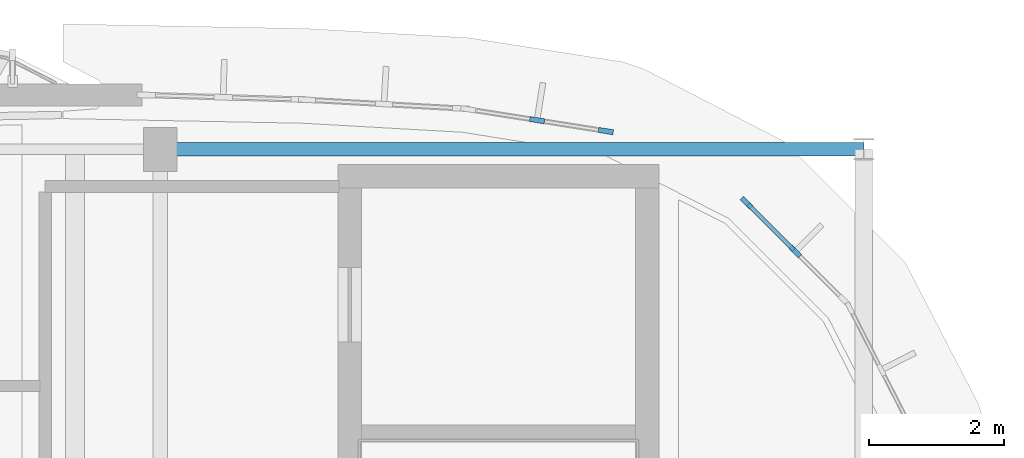
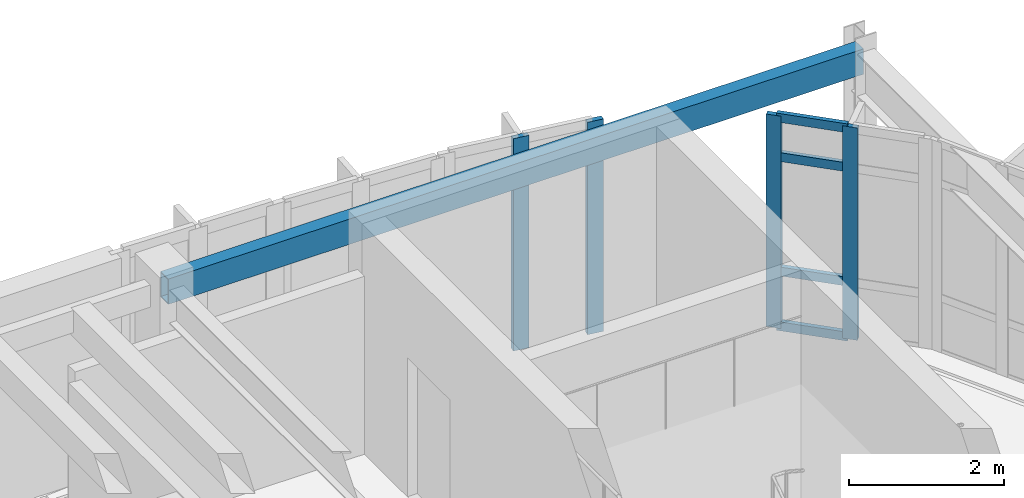
# One storey, part 15 of 30: 8 members, 1 beam, 2 elements without a shape of their own.
"""IFC4 building model written with IfcOpenShell, lengths in metres."""

from ifc_helpers import new_model, si_unit, direction, frame, origin, origin_2d, place, context, subcontext, project, spatial, rectangle, hollow_rectangle, extrude, material, material_profile, profile_set, type_object, element, aggregate, save


model = new_model("IFC4")

# Units and contexts
model_context = context("Model", 3, precision=1e-05, world=origin(), true_north=direction((0.0, 1.0)))
body_context = subcontext(model_context, "Body", "Model", "MODEL_VIEW")
ifc_project = project(units=[si_unit("LENGTHUNIT", "METRE"), si_unit("AREAUNIT", "SQUARE_METRE"), si_unit("VOLUMEUNIT", "CUBIC_METRE"), si_unit("PLANEANGLEUNIT", "RADIAN"), si_unit("MASSUNIT", "GRAM", prefix="KILO")], contexts=[model_context])

# Site, building, storey
site_placement = place(None, origin())
site = spatial("IfcSite", under=ifc_project, at=site_placement, CompositionType="ELEMENT")
building_placement = place(site_placement, origin())
building = spatial("IfcBuilding", under=site, at=building_placement, Name="Corveleigh Park Community Centre", CompositionType="ELEMENT")
storey_placement = place(building_placement, frame((0.0, 0.0, 12.60009765625)))
storey = spatial("IfcBuildingStorey", under=building, at=storey_placement, Name="L03", CompositionType="ELEMENT", Elevation=12.60009765625)

# Curtain wall, members
ifc_material_1 = material(Name="Anodised aluminium 6063-T6", Category="aluminium")
curtain_wall_type = type_object("IfcCurtainWallType", Name="CW-SYS-V4-L03", PredefinedType="NOTDEFINED", material=ifc_material_1)
curtain_wall_1_placement = place(storey_placement, origin())
curtain_wall_1 = element("IfcCurtainWall", 1, at=curtain_wall_1_placement, inside=storey, type_object=curtain_wall_type, Name="V4 L03 Curtain Wall 417", PredefinedType="NOTDEFINED")
ifc_material_profile_1 = material_profile(ifc_material_1, rectangle(XDim=0.070068359375, YDim=0.199951171875, at=origin_2d()), Name="ALU-M70x200", Category="aluminium")
ifc_profile_set_1 = profile_set([ifc_material_profile_1], Name="Anodised aluminium 6063-T6")
member_type_1 = type_object("IfcMemberType", Name="CWM-70x200", PredefinedType="MULLION", material=ifc_profile_set_1)
member_1_placement = place(storey_placement, frame((166.665771484375, 103.4111328125, 0.0), z_axis=(0.0, 0.0, 1.0), x_axis=(0.707106781187, 0.707106781187, 0.0)))
member_1 = element("IfcMember", 2, at=member_1_placement, type_object=member_type_1, Name="CW09 mullion 1", PredefinedType="MULLION", context=body_context, shape_type="SweptSolid", body=[
    extrude(rectangle(XDim=0.070068359375, YDim=0.199951171875, at=origin_2d()), origin(), (0.0, 0.0, 1.0), 3.35693359375),
])
member_2_placement = place(storey_placement, frame((167.388427734375, 102.6884765625, 0.0), z_axis=(0.0, 0.0, 1.0), x_axis=(0.707106781187, 0.707106781187, 0.0)))
member_2 = element("IfcMember", 3, at=member_2_placement, type_object=member_type_1, Name="CW09 mullion 2", PredefinedType="MULLION", context=body_context, shape_type="SweptSolid", body=[
    extrude(rectangle(XDim=0.070068359375, YDim=0.199951171875, at=origin_2d()), origin(), (0.0, 0.0, 1.0), 3.35693359375),
])

curtain_wall_2_placement = place(storey_placement, origin())
curtain_wall_2 = element("IfcCurtainWall", 4, at=curtain_wall_2_placement, inside=storey, type_object=curtain_wall_type, Name="V4 L03 Curtain Wall 418", PredefinedType="NOTDEFINED")
ifc_material_profile_2 = material_profile(ifc_material_1, rectangle(XDim=0.074951171875, YDim=0.219970703125, at=origin_2d()), Name="ALU-M75x220", Category="aluminium")
ifc_profile_set_2 = profile_set([ifc_material_profile_2], Name="Anodised aluminium 6063-T6")
member_type_2 = type_object("IfcMemberType", Name="CWM-75x220", PredefinedType="MULLION", material=ifc_profile_set_2)
member_3_placement = place(storey_placement, frame((163.570556640625, 104.6298828125, 0.0), z_axis=(0.0, 0.0, 1.0), x_axis=(0.156419486996, 0.987690712768, 0.0)))
member_3 = element("IfcMember", 5, at=member_3_placement, type_object=member_type_2, Name="CW09 mullion 2", PredefinedType="MULLION", context=body_context, shape_type="SweptSolid", body=[
    extrude(rectangle(XDim=0.074951171875, YDim=0.219970703125, at=origin_2d()), origin(), (0.0, 0.0, 1.0), 3.35693359375),
])
member_4_placement = place(storey_placement, frame((164.587890625, 104.46875, 0.0), z_axis=(0.0, 0.0, 1.0), x_axis=(0.156419486996, 0.987690712768, 0.0)))
member_4 = element("IfcMember", 6, at=member_4_placement, type_object=member_type_2, Name="CW09 mullion 3", PredefinedType="MULLION", context=body_context, shape_type="SweptSolid", body=[
    extrude(rectangle(XDim=0.074951171875, YDim=0.219970703125, at=origin_2d()), origin(), (0.0, 0.0, 1.0), 3.35693359375),
])
aggregate(curtain_wall_2, [member_3, member_4])

# Member
ifc_material_profile_3 = material_profile(ifc_material_1, rectangle(XDim=0.06494140625, YDim=0.139892578125, at=origin_2d()), Name="ALU-T65x140", Category="aluminium")
ifc_profile_set_3 = profile_set([ifc_material_profile_3], Name="Anodised aluminium 6063-T6")
member_type_3 = type_object("IfcMemberType", Name="CWT-65x140", PredefinedType="USERDEFINED", material=ifc_profile_set_3)
member_5_placement = place(storey_placement, frame((166.6904296875, 103.386474609375, 0.032470703125), z_axis=(0.707106781187, -0.707106781187, 0.0), x_axis=(0.707106781187, 0.707106781187, 0.0)))
member_5 = element("IfcMember", 7, at=member_5_placement, type_object=member_type_3, Name="CW09 transom 1.1", ObjectType="TRANSOM", PredefinedType="USERDEFINED", context=body_context, shape_type="SweptSolid", body=[
    extrude(rectangle(XDim=0.06494140625, YDim=0.139892578125, at=origin_2d()), origin(), (0.0, 0.0, 1.0), 0.9521484375),
])

member_6_placement = place(storey_placement, frame((166.6904296875, 103.386474609375, 0.89990234375), z_axis=(0.707106781187, -0.707106781187, 0.0), x_axis=(0.707106781187, 0.707106781187, 0.0)))
member_6 = element("IfcMember", 8, at=member_6_placement, type_object=member_type_3, Name="CW09 transom 1.2", ObjectType="TRANSOM", PredefinedType="USERDEFINED", context=body_context, shape_type="SweptSolid", body=[
    extrude(rectangle(XDim=0.06494140625, YDim=0.139892578125, at=origin_2d()), origin(), (0.0, 0.0, 1.0), 0.9521484375),
])

member_7_placement = place(storey_placement, frame((166.6904296875, 103.386474609375, 2.706787109375), z_axis=(0.707106781187, -0.707106781187, 0.0), x_axis=(0.707106781187, 0.707106781187, 0.0)))
member_7 = element("IfcMember", 9, at=member_7_placement, type_object=member_type_3, Name="CW09 transom 1.3", ObjectType="TRANSOM", PredefinedType="USERDEFINED", context=body_context, shape_type="SweptSolid", body=[
    extrude(rectangle(XDim=0.06494140625, YDim=0.139892578125, at=origin_2d()), origin(), (0.0, 0.0, 1.0), 0.9521484375),
])

member_8_placement = place(storey_placement, frame((166.6904296875, 103.386474609375, 3.324462890625), z_axis=(0.707106781187, -0.707106781187, 0.0), x_axis=(0.707106781187, 0.707106781187, 0.0)))
member_8 = element("IfcMember", 10, at=member_8_placement, type_object=member_type_3, Name="CW09 transom 1.4", ObjectType="TRANSOM", PredefinedType="USERDEFINED", context=body_context, shape_type="SweptSolid", body=[
    extrude(rectangle(XDim=0.06494140625, YDim=0.139892578125, at=origin_2d()), origin(), (0.0, 0.0, 1.0), 0.9521484375),
])

aggregate(curtain_wall_1, [member_1, member_2, member_5, member_6, member_7, member_8])

# Beam
ifc_material_2 = material(Name="Steel S355", Category="steel")
ifc_material_profile_4 = material_profile(ifc_material_2, hollow_rectangle(XDim=0.199951171875, YDim=0.39990234375, WallThickness=0.012451171875, at=origin_2d()), Name="RHS 400x200x12.5", Category="steel")
ifc_profile_set_4 = profile_set([ifc_material_profile_4], Name="Steel S355")
beam_type = type_object("IfcBeamType", Name="SP-STL-RHS400x200", PredefinedType="SPANDREL", material=ifc_profile_set_4)
beam_placement = place(storey_placement, frame((158.0048828125, 104.199951171875, 3.156982421875), z_axis=(1.0, 0.0, 0.0), x_axis=(0.0, 1.0, 0.0)))
element("IfcBeam", 11, at=beam_placement, inside=storey, type_object=beam_type, Name="V4 Girder X", PredefinedType="SPANDREL", context=body_context, shape_type="SweptSolid", body=[
    extrude(hollow_rectangle(XDim=0.199951171875, YDim=0.39990234375, WallThickness=0.012451171875, at=origin_2d()), origin(), (0.0, 0.0, 1.0), 10.39013671875),
])

save(model, "model.ifc")
